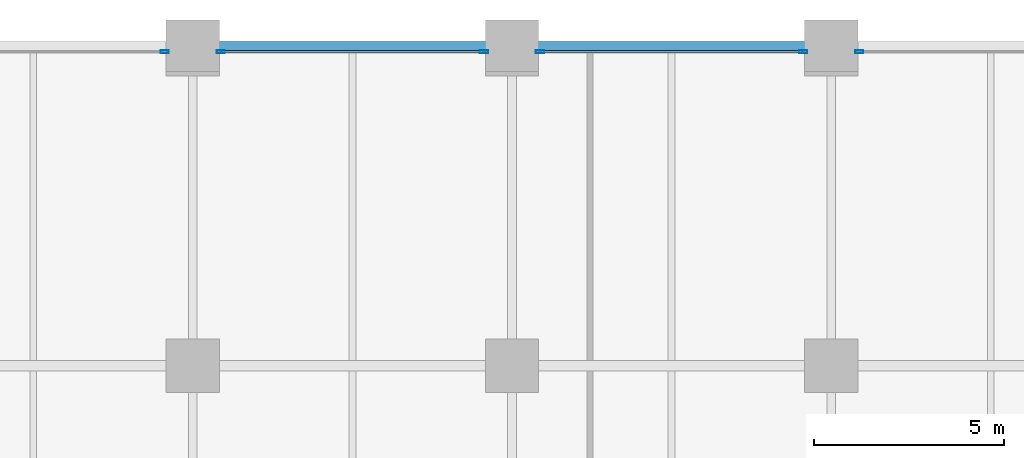
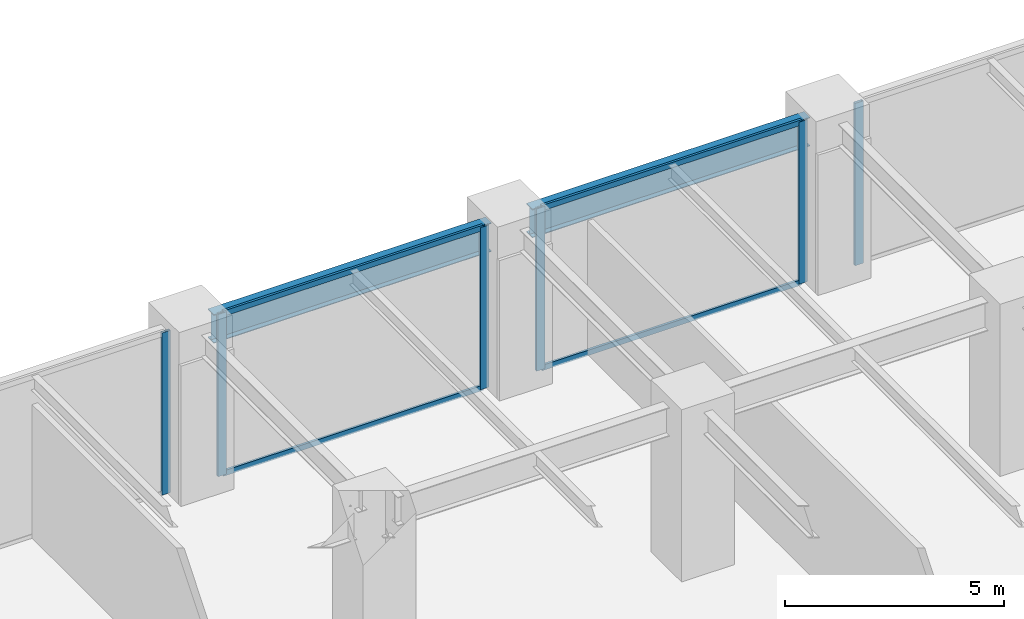
# One storey, part 16 of 24: 10 members, 2 beams, 4 elements without a shape of their own.
"""IFC4 building model written with IfcOpenShell, lengths in metres."""

from ifc_helpers import new_model, si_unit, direction, frame, origin, origin_2d, place, context, subcontext, project, spatial, hollow_rectangle, i_section, extrude, material, layer, layer_set, material_profile, profile_set, type_object, element, aggregate, save


model = new_model("IFC4")

# Units and contexts
model_context = context("Model", 3, precision=1e-05, world=origin(), true_north=direction((0.0, 1.0)))
body_context = subcontext(model_context, "Body", "Model", "MODEL_VIEW")
ifc_project = project(units=[si_unit("LENGTHUNIT", "METRE"), si_unit("AREAUNIT", "SQUARE_METRE"), si_unit("VOLUMEUNIT", "CUBIC_METRE"), si_unit("PLANEANGLEUNIT", "RADIAN"), si_unit("MASSUNIT", "GRAM", prefix="KILO")], contexts=[model_context])

# Site, building, storey
site_placement = place(None, origin())
site = spatial("IfcSite", under=ifc_project, at=site_placement, CompositionType="ELEMENT")
building_placement = place(site_placement, origin())
building = spatial("IfcBuilding", under=site, at=building_placement, Name="Nerrivon Quay Data Exchange", CompositionType="ELEMENT")
storey_placement = place(building_placement, frame((0.0, 0.0, 10.199951171875)))
storey = spatial("IfcBuildingStorey", under=building, at=storey_placement, Name="L02", CompositionType="ELEMENT", Elevation=10.199951171875)

# Beams
ifc_material_1 = material(Name="Steel Grade 350", Category="steel")
ifc_material_profile_1 = material_profile(ifc_material_1, i_section(OverallWidth=0.27490234375, OverallDepth=0.800048828125, WebThickness=0.010009765625, FlangeThickness=0.02001953125, at=origin_2d()), Name="800WB146")
ifc_profile_set_1 = profile_set([ifc_material_profile_1], Name="Steel Grade 350")
beam_type = type_object("IfcBeamType", Name="BM-G8-800WB146", PredefinedType="BEAM", material=ifc_profile_set_1)
for number, where, z_axis, x_axis, name in (
    (1, (34.139892578125, 50.39990234375, 4.125), (1.0, 0.0, 0.0), (0.0, 1.0, 0.0), "L02 EW Girder Y=50.4 (33.6..42.0)"),
    (2, (42.5400390625, 50.39990234375, 4.125), (1.0, 0.0, 0.0), (0.0, 1.0, 0.0), "L02 EW Girder Y=50.4 (42.0..50.4)"),
):
    element("IfcBeam", number, at=place(storey_placement, frame(where, z_axis=z_axis, x_axis=x_axis)), inside=storey, type_object=beam_type, Name=name, PredefinedType="BEAM", context=body_context, shape_type="SweptSolid", body=[
        extrude(i_section(OverallWidth=0.27490234375, OverallDepth=0.800048828125, WebThickness=0.010009765625, FlangeThickness=0.02001953125, at=origin_2d()), origin(), (0.0, 0.0, 1.0), 7.320068359375),
    ])

# Curtain wall, member
ifc_material_2 = material(Name="Anodised aluminium 6063-T6", Category="aluminium")
ifc_layer = layer(ifc_material_2, 0.239990234375)
ifc_layer_set = layer_set([ifc_layer], Name="Anodised aluminium 6063-T6")
curtain_wall_type = type_object("IfcCurtainWallType", Name="CW-SYS-03", PredefinedType="NOTDEFINED", material=ifc_layer_set)
curtain_wall_1_placement = place(storey_placement, origin())
curtain_wall_1 = element("IfcCurtainWall", 3, at=curtain_wall_1_placement, inside=storey, type_object=curtain_wall_type, Name="L02 Unitised Curtain Wall 10", PredefinedType="NOTDEFINED")
ifc_material_profile_2 = material_profile(ifc_material_2, hollow_rectangle(XDim=0.074951171875, YDim=0.219970703125, WallThickness=0.00390625, at=origin_2d()), Name="ALU-MULL-220x75")
ifc_profile_set_2 = profile_set([ifc_material_profile_2], Name="Anodised aluminium 6063-T6")
member_type_1 = type_object("IfcMemberType", Name="CWM-220x75", PredefinedType="MULLION", material=ifc_profile_set_2)
member_1_placement = place(storey_placement, frame((32.862548828125, 50.260009765625, 0.0), z_axis=(0.0, 0.0, 1.0), x_axis=(0.0, 1.0, 0.0)))
member_1 = element("IfcMember", 4, at=member_1_placement, type_object=member_type_1, Name="CW03 mullion 2", PredefinedType="MULLION", context=body_context, shape_type="SweptSolid", body=[
    extrude(hollow_rectangle(XDim=0.074951171875, YDim=0.219970703125, WallThickness=0.00390625, at=origin_2d()), origin(), (0.0, 0.0, 1.0), 4.525146484375),
])
aggregate(curtain_wall_1, [member_1])

# Curtain wall, members
curtain_wall_2_placement = place(storey_placement, origin())
curtain_wall_2 = element("IfcCurtainWall", 5, at=curtain_wall_2_placement, inside=storey, type_object=curtain_wall_type, Name="L02 Unitised Curtain Wall 11", PredefinedType="NOTDEFINED")
member_2_placement = place(storey_placement, frame((34.33740234375, 50.260009765625, 0.0), z_axis=(0.0, 0.0, 1.0), x_axis=(0.0, 1.0, 0.0)))
member_2 = element("IfcMember", 6, at=member_2_placement, type_object=member_type_1, Name="CW03 mullion 1", PredefinedType="MULLION", context=body_context, shape_type="SweptSolid", body=[
    extrude(hollow_rectangle(XDim=0.074951171875, YDim=0.219970703125, WallThickness=0.00390625, at=origin_2d()), origin(), (0.0, 0.0, 1.0), 4.525146484375),
])
member_3_placement = place(storey_placement, frame((41.262451171875, 50.260009765625, 0.0), z_axis=(0.0, 0.0, 1.0), x_axis=(0.0, 1.0, 0.0)))
member_3 = element("IfcMember", 7, at=member_3_placement, type_object=member_type_1, Name="CW03 mullion 2", PredefinedType="MULLION", context=body_context, shape_type="SweptSolid", body=[
    extrude(hollow_rectangle(XDim=0.074951171875, YDim=0.219970703125, WallThickness=0.00390625, at=origin_2d()), origin(), (0.0, 0.0, 1.0), 4.525146484375),
])

curtain_wall_3_placement = place(storey_placement, origin())
curtain_wall_3 = element("IfcCurtainWall", 8, at=curtain_wall_3_placement, inside=storey, type_object=curtain_wall_type, Name="L02 Unitised Curtain Wall 12", PredefinedType="NOTDEFINED")
member_4_placement = place(storey_placement, frame((42.737548828125, 50.260009765625, 0.0), z_axis=(0.0, 0.0, 1.0), x_axis=(0.0, 1.0, 0.0)))
member_4 = element("IfcMember", 9, at=member_4_placement, type_object=member_type_1, Name="CW03 mullion 1", PredefinedType="MULLION", context=body_context, shape_type="SweptSolid", body=[
    extrude(hollow_rectangle(XDim=0.074951171875, YDim=0.219970703125, WallThickness=0.00390625, at=origin_2d()), origin(), (0.0, 0.0, 1.0), 4.525146484375),
])
member_5_placement = place(storey_placement, frame((49.66259765625, 50.260009765625, 0.0), z_axis=(0.0, 0.0, 1.0), x_axis=(0.0, 1.0, 0.0)))
member_5 = element("IfcMember", 10, at=member_5_placement, type_object=member_type_1, Name="CW03 mullion 2", PredefinedType="MULLION", context=body_context, shape_type="SweptSolid", body=[
    extrude(hollow_rectangle(XDim=0.074951171875, YDim=0.219970703125, WallThickness=0.00390625, at=origin_2d()), origin(), (0.0, 0.0, 1.0), 4.525146484375),
])

# Curtain wall, member
curtain_wall_4_placement = place(storey_placement, origin())
curtain_wall_4 = element("IfcCurtainWall", 11, at=curtain_wall_4_placement, inside=storey, type_object=curtain_wall_type, Name="L02 Unitised Curtain Wall 13", PredefinedType="NOTDEFINED")
member_6_placement = place(storey_placement, frame((51.137451171875, 50.260009765625, 0.0), z_axis=(0.0, 0.0, 1.0), x_axis=(0.0, 1.0, 0.0)))
member_6 = element("IfcMember", 12, at=member_6_placement, type_object=member_type_1, Name="CW03 mullion 1", PredefinedType="MULLION", context=body_context, shape_type="SweptSolid", body=[
    extrude(hollow_rectangle(XDim=0.074951171875, YDim=0.219970703125, WallThickness=0.00390625, at=origin_2d()), origin(), (0.0, 0.0, 1.0), 4.525146484375),
])
aggregate(curtain_wall_4, [member_6])

# Member
ifc_material_profile_3 = material_profile(ifc_material_2, hollow_rectangle(XDim=0.06494140625, YDim=0.14990234375, WallThickness=0.00341796875, at=origin_2d()), Name="ALU-TRAN-150x65")
ifc_profile_set_3 = profile_set([ifc_material_profile_3], Name="Anodised aluminium 6063-T6")
member_type_2 = type_object("IfcMemberType", Name="CWT-150x65", PredefinedType="USERDEFINED", material=ifc_profile_set_3)
member_7_placement = place(storey_placement, frame((34.375, 50.260009765625, 0.032470703125), z_axis=(1.0, 0.0, 0.0), x_axis=(0.0, 1.0, 0.0)))
member_7 = element("IfcMember", 13, at=member_7_placement, type_object=member_type_2, Name="CW03 transom 1.1", ObjectType="TRANSOM", PredefinedType="USERDEFINED", context=body_context, shape_type="SweptSolid", body=[
    extrude(hollow_rectangle(XDim=0.06494140625, YDim=0.14990234375, WallThickness=0.00341796875, at=origin_2d()), origin(), (0.0, 0.0, 1.0), 6.85009765625),
])

member_8_placement = place(storey_placement, frame((34.375, 50.260009765625, 4.492431640625), z_axis=(1.0, 0.0, 0.0), x_axis=(0.0, 1.0, 0.0)))
member_8 = element("IfcMember", 14, at=member_8_placement, type_object=member_type_2, Name="CW03 transom 1.2", ObjectType="TRANSOM", PredefinedType="USERDEFINED", context=body_context, shape_type="SweptSolid", body=[
    extrude(hollow_rectangle(XDim=0.06494140625, YDim=0.14990234375, WallThickness=0.00341796875, at=origin_2d()), origin(), (0.0, 0.0, 1.0), 6.85009765625),
])

aggregate(curtain_wall_2, [member_2, member_3, member_7, member_8])

member_9_placement = place(storey_placement, frame((42.77490234375, 50.260009765625, 0.032470703125), z_axis=(1.0, 0.0, 0.0), x_axis=(0.0, 1.0, 0.0)))
member_9 = element("IfcMember", 15, at=member_9_placement, type_object=member_type_2, Name="CW03 transom 1.1", ObjectType="TRANSOM", PredefinedType="USERDEFINED", context=body_context, shape_type="SweptSolid", body=[
    extrude(hollow_rectangle(XDim=0.06494140625, YDim=0.14990234375, WallThickness=0.00341796875, at=origin_2d()), origin(), (0.0, 0.0, 1.0), 6.85009765625),
])

member_10_placement = place(storey_placement, frame((42.77490234375, 50.260009765625, 4.492431640625), z_axis=(1.0, 0.0, 0.0), x_axis=(0.0, 1.0, 0.0)))
member_10 = element("IfcMember", 16, at=member_10_placement, type_object=member_type_2, Name="CW03 transom 1.2", ObjectType="TRANSOM", PredefinedType="USERDEFINED", context=body_context, shape_type="SweptSolid", body=[
    extrude(hollow_rectangle(XDim=0.06494140625, YDim=0.14990234375, WallThickness=0.00341796875, at=origin_2d()), origin(), (0.0, 0.0, 1.0), 6.85009765625),
])

aggregate(curtain_wall_3, [member_4, member_5, member_9, member_10])

save(model, "model.ifc")
